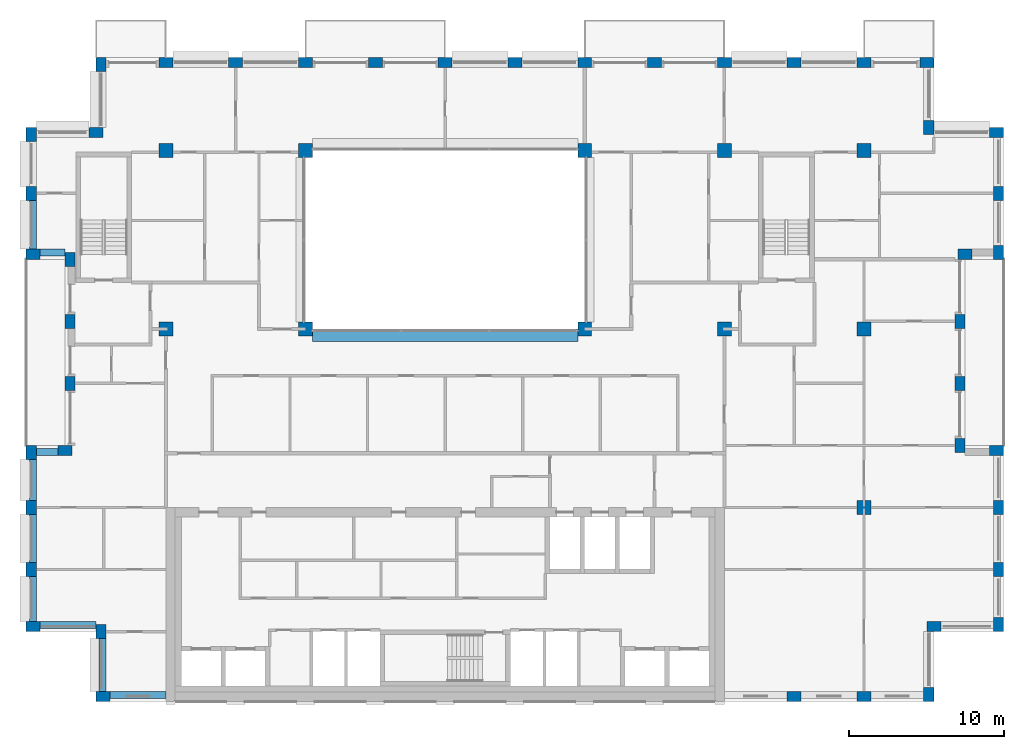
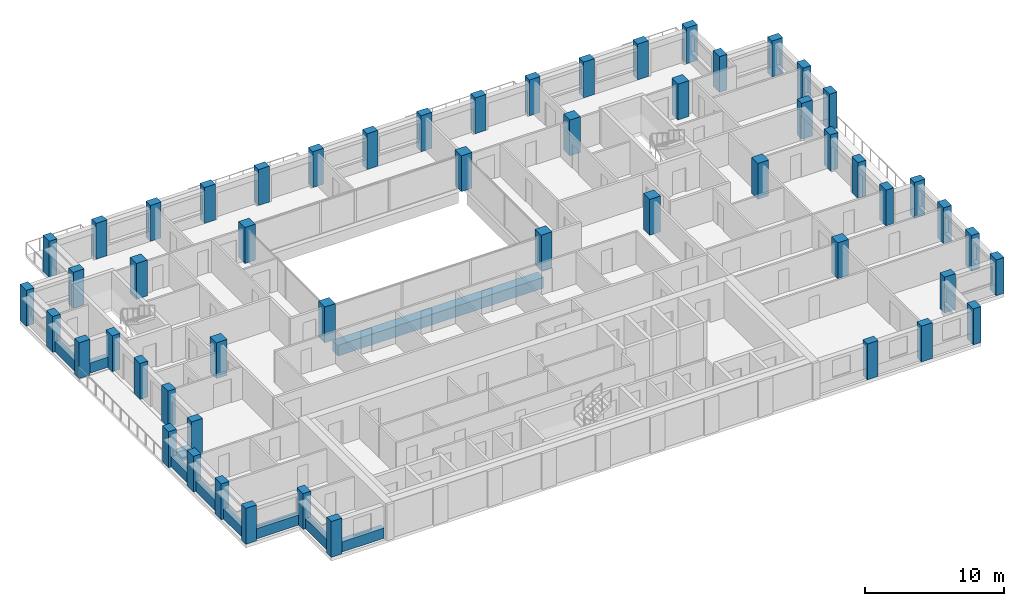
# One storey, part 1 of 15: 54 columns, 10 beams.
"""IFC4 building model written with IfcOpenShell, lengths in metres."""

from ifc_helpers import new_model, si_unit, direction, frame, origin, origin_2d, place, context, subcontext, project, spatial, rectangle, extrude, material, material_profile, profile_set, type_object, element, save


model = new_model("IFC4")

# Units and contexts
model_context = context("Model", 3, precision=1e-05, world=origin(), true_north=direction((0.0, 1.0)))
body_context = subcontext(model_context, "Body", "Model", "MODEL_VIEW")
ifc_project = project(units=[si_unit("LENGTHUNIT", "METRE"), si_unit("AREAUNIT", "SQUARE_METRE"), si_unit("VOLUMEUNIT", "CUBIC_METRE"), si_unit("PLANEANGLEUNIT", "RADIAN"), si_unit("MASSUNIT", "GRAM", prefix="KILO")], contexts=[model_context])

# Site, building, storey
site_placement = place(None, origin())
site = spatial("IfcSite", under=ifc_project, at=site_placement, CompositionType="ELEMENT")
building_placement = place(site_placement, origin())
building = spatial("IfcBuilding", under=site, at=building_placement, Name="Brigalow Station Residences", CompositionType="ELEMENT")
storey_placement = place(building_placement, frame((0.0, 0.0, 207.449951171875)))
storey = spatial("IfcBuildingStorey", under=building, at=storey_placement, Name="L59", CompositionType="ELEMENT", Elevation=207.449951171875)

# Columns
ifc_material_1 = material(Name="Concrete C50", Category="concrete")
ifc_material_profile_1 = material_profile(ifc_material_1, rectangle(XDim=0.89990234375, YDim=0.89990234375, at=origin_2d()), Name="RC900x900")
ifc_profile_set_1 = profile_set([ifc_material_profile_1], Name="Concrete C50")
column_type_1 = type_object("IfcColumnType", Name="COLUMN 900x900 C50", PredefinedType="COLUMN", material=ifc_profile_set_1)
for number, where, z_axis, x_axis, name in (
    (1, (18.0, 24.0, 0.0), (0.0, 0.0, 1.0), (1.0, 0.0, 0.0), "COLUMN C2 L59"),
    (2, (27.0, 24.0, 0.0), (0.0, 0.0, 1.0), (1.0, 0.0, 0.0), "COLUMN C3 L59"),
    (3, (45.0, 24.0, 0.0), (0.0, 0.0, 1.0), (1.0, 0.0, 0.0), "COLUMN C5 L59"),
    (4, (54.0, 24.0, 0.0), (0.0, 0.0, 1.0), (1.0, 0.0, 0.0), "COLUMN C6 L59"),
    (5, (63.0, 24.0, 0.0), (0.0, 0.0, 1.0), (1.0, 0.0, 0.0), "COLUMN C7 L59"),
    (6, (18.0, 35.5, 0.0), (0.0, 0.0, 1.0), (1.0, 0.0, 0.0), "COLUMN D2 L59"),
    (7, (27.0, 35.5, 0.0), (0.0, 0.0, 1.0), (1.0, 0.0, 0.0), "COLUMN D3 L59"),
    (8, (45.0, 35.5, 0.0), (0.0, 0.0, 1.0), (1.0, 0.0, 0.0), "COLUMN D5 L59"),
    (9, (54.0, 35.5, 0.0), (0.0, 0.0, 1.0), (1.0, 0.0, 0.0), "COLUMN D6 L59"),
    (10, (63.0, 35.5, 0.0), (0.0, 0.0, 1.0), (1.0, 0.0, 0.0), "COLUMN D7 L59"),
    (11, (63.0, 12.5, 0.0), (0.0, 0.0, 1.0), (1.0, 0.0, 0.0), "COLUMN B7 L59"),
):
    element("IfcColumn", number, at=place(storey_placement, frame(where, z_axis=z_axis, x_axis=x_axis)), inside=storey, type_object=column_type_1, Name=name, PredefinedType="COLUMN", context=body_context, shape_type="SweptSolid", body=[
        extrude(rectangle(XDim=0.89990234375, YDim=0.89990234375, at=origin_2d()), origin(), (0.0, 0.0, 1.0), 3.150146484375),
    ])
ifc_material_2 = material(Name="Concrete C50", Category="concrete")
ifc_material_profile_2 = material_profile(ifc_material_2, rectangle(XDim=0.89990234375, YDim=0.64990234375, at=origin_2d()), Name="RC900x650")
ifc_profile_set_2 = profile_set([ifc_material_profile_2], Name="Concrete C50")
column_type_2 = type_object("IfcColumnType", Name="PIER 900x650 C50", PredefinedType="USERDEFINED", material=ifc_profile_set_2)
for number, where, z_axis, x_axis, name in (
    (12, (13.949951171875, 0.324951171875, 0.0), (0.0, 0.0, 1.0), (1.0, 0.0, 0.0), "PIER S-1 L59"),
    (13, (58.5, 0.324951171875, 0.0), (0.0, 0.0, 1.0), (1.0, 0.0, 0.0), "PIER S-11 L59"),
    (14, (63.0, 0.324951171875, 0.0), (0.0, 0.0, 1.0), (1.0, 0.0, 0.0), "PIER S-12 L59"),
    (15, (67.175048828125, 0.449951171875, 0.0), (0.0, 0.0, 1.0), (0.0, 1.0, 0.0), "PIER SE1-1 L59"),
    (16, (67.5, 4.824951171875, 0.0), (0.0, 0.0, 1.0), (1.0, 0.0, 0.0), "PIER SE2-1 L59"),
    (17, (71.675048828125, 4.949951171875, 0.0), (0.0, 0.0, 1.0), (0.0, 1.0, 0.0), "PIER E1-1 L59"),
    (18, (71.675048828125, 8.5, 0.0), (0.0, 0.0, 1.0), (0.0, 1.0, 0.0), "PIER E1-2 L59"),
    (19, (71.675048828125, 12.5, 0.0), (0.0, 0.0, 1.0), (0.0, 1.0, 0.0), "PIER E1-3 L59"),
    (20, (71.550048828125, 16.175048828125, 0.0), (0.0, 0.0, 1.0), (-1.0, 0.0, 0.0), "PIER EL1-1 L59"),
    (21, (69.175048828125, 16.5, 0.0), (0.0, 0.0, 1.0), (0.0, 1.0, 0.0), "PIER EL2-1 L59"),
    (22, (69.175048828125, 20.5, 0.0), (0.0, 0.0, 1.0), (0.0, 1.0, 0.0), "PIER EL2-2 L59"),
    (23, (69.175048828125, 24.5, 0.0), (0.0, 0.0, 1.0), (0.0, 1.0, 0.0), "PIER EL2-3 L59"),
    (24, (69.5, 28.824951171875, 0.0), (0.0, 0.0, 1.0), (1.0, 0.0, 0.0), "PIER EL3-1 L59"),
    (25, (71.675048828125, 28.949951171875, 0.0), (0.0, 0.0, 1.0), (0.0, 1.0, 0.0), "PIER E2-1 L59"),
    (26, (71.675048828125, 32.75, 0.0), (0.0, 0.0, 1.0), (0.0, 1.0, 0.0), "PIER E2-2 L59"),
    (27, (71.550048828125, 36.675048828125, 0.0), (0.0, 0.0, 1.0), (-1.0, 0.0, 0.0), "PIER NE1-1 L59"),
    (28, (67.175048828125, 37.0, 0.0), (0.0, 0.0, 1.0), (0.0, 1.0, 0.0), "PIER NE2-1 L59"),
    (29, (67.050048828125, 41.175048828125, 0.0), (0.0, 0.0, 1.0), (-1.0, 0.0, 0.0), "PIER N-1 L59"),
    (30, (63.0, 41.175048828125, 0.0), (0.0, 0.0, 1.0), (-1.0, 0.0, 0.0), "PIER N-2 L59"),
    (31, (58.5, 41.175048828125, 0.0), (0.0, 0.0, 1.0), (-1.0, 0.0, 0.0), "PIER N-3 L59"),
    (32, (54.0, 41.175048828125, 0.0), (0.0, 0.0, 1.0), (-1.0, 0.0, 0.0), "PIER N-4 L59"),
    (33, (49.5, 41.175048828125, 0.0), (0.0, 0.0, 1.0), (-1.0, 0.0, 0.0), "PIER N-5 L59"),
    (34, (45.0, 41.175048828125, 0.0), (0.0, 0.0, 1.0), (-1.0, 0.0, 0.0), "PIER N-6 L59"),
    (35, (40.5, 41.175048828125, 0.0), (0.0, 0.0, 1.0), (-1.0, 0.0, 0.0), "PIER N-7 L59"),
    (36, (36.0, 41.175048828125, 0.0), (0.0, 0.0, 1.0), (-1.0, 0.0, 0.0), "PIER N-8 L59"),
    (37, (31.5, 41.175048828125, 0.0), (0.0, 0.0, 1.0), (-1.0, 0.0, 0.0), "PIER N-9 L59"),
    (38, (27.0, 41.175048828125, 0.0), (0.0, 0.0, 1.0), (-1.0, 0.0, 0.0), "PIER N-10 L59"),
    (39, (22.5, 41.175048828125, 0.0), (0.0, 0.0, 1.0), (-1.0, 0.0, 0.0), "PIER N-11 L59"),
    (40, (18.0, 41.175048828125, 0.0), (0.0, 0.0, 1.0), (-1.0, 0.0, 0.0), "PIER N-12 L59"),
    (41, (13.824951171875, 41.050048828125, 0.0), (0.0, 0.0, 1.0), (0.0, -1.0, 0.0), "PIER NW1-1 L59"),
    (42, (13.5, 36.675048828125, 0.0), (0.0, 0.0, 1.0), (-1.0, 0.0, 0.0), "PIER NW2-1 L59"),
    (43, (9.324951171875, 36.550048828125, 0.0), (0.0, 0.0, 1.0), (0.0, -1.0, 0.0), "PIER W2-1 L59"),
    (44, (9.324951171875, 32.75, 0.0), (0.0, 0.0, 1.0), (0.0, -1.0, 0.0), "PIER W2-2 L59"),
    (45, (9.449951171875, 28.824951171875, 0.0), (0.0, 0.0, 1.0), (1.0, 0.0, 0.0), "PIER WL1-1 L59"),
    (46, (11.824951171875, 28.5, 0.0), (0.0, 0.0, 1.0), (0.0, -1.0, 0.0), "PIER WL2-1 L59"),
    (47, (11.824951171875, 24.5, 0.0), (0.0, 0.0, 1.0), (0.0, -1.0, 0.0), "PIER WL2-2 L59"),
    (48, (11.824951171875, 20.5, 0.0), (0.0, 0.0, 1.0), (0.0, -1.0, 0.0), "PIER WL2-3 L59"),
    (49, (11.5, 16.175048828125, 0.0), (0.0, 0.0, 1.0), (-1.0, 0.0, 0.0), "PIER WL3-1 L59"),
    (50, (9.324951171875, 16.050048828125, 0.0), (0.0, 0.0, 1.0), (0.0, -1.0, 0.0), "PIER W1-1 L59"),
    (51, (9.324951171875, 12.5, 0.0), (0.0, 0.0, 1.0), (0.0, -1.0, 0.0), "PIER W1-2 L59"),
    (52, (9.324951171875, 8.5, 0.0), (0.0, 0.0, 1.0), (0.0, -1.0, 0.0), "PIER W1-3 L59"),
    (53, (9.449951171875, 4.824951171875, 0.0), (0.0, 0.0, 1.0), (1.0, 0.0, 0.0), "PIER SW1-1 L59"),
    (54, (13.824951171875, 4.5, 0.0), (0.0, 0.0, 1.0), (0.0, -1.0, 0.0), "PIER SW2-1 L59"),
):
    element("IfcColumn", number, at=place(storey_placement, frame(where, z_axis=z_axis, x_axis=x_axis)), inside=storey, type_object=column_type_2, Name=name, ObjectType="PIER", PredefinedType="USERDEFINED", context=body_context, shape_type="SweptSolid", body=[
        extrude(rectangle(XDim=0.89990234375, YDim=0.64990234375, at=origin_2d()), origin(), (0.0, 0.0, 1.0), 3.150146484375),
    ])

# Beams
ifc_material_3 = material(Name="Concrete C65", Category="concrete")
ifc_material_profile_3 = material_profile(ifc_material_3, rectangle(XDim=0.800048828125, YDim=0.949951171875, at=origin_2d()), Name="RC800x950")
ifc_profile_set_3 = profile_set([ifc_material_profile_3], Name="Concrete C65")
beam_type_1 = type_object("IfcBeamType", Name="ATRIUM EDGE GIRDER OVER 13.5 M SPAN 800x950 C65", PredefinedType="BEAM", material=ifc_profile_set_3)
beam_1_placement = place(storey_placement, frame((27.449951171875, 23.60009765625, -0.794921875), z_axis=(1.0, 0.0, 0.0), x_axis=(0.0, 1.0, 0.0)))
element("IfcBeam", 55, at=beam_1_placement, inside=storey, type_object=beam_type_1, Name="ATRIUM EDGE GIRDER C L59", PredefinedType="BEAM", context=body_context, shape_type="SweptSolid", body=[
    extrude(rectangle(XDim=0.800048828125, YDim=0.949951171875, at=origin_2d()), origin(), (0.0, 0.0, 1.0), 17.10009765625),
])
ifc_material_4 = material(Name="Concrete C50", Category="concrete")
ifc_material_profile_4 = material_profile(ifc_material_4, rectangle(XDim=0.449951171875, YDim=0.89990234375, at=origin_2d()), Name="RC450x900")
ifc_profile_set_4 = profile_set([ifc_material_profile_4], Name="Concrete C50")
beam_type_2 = type_object("IfcBeamType", Name="SPANDREL BEAM 450x900 C50", PredefinedType="SPANDREL", material=ifc_profile_set_4)
beam_2_placement = place(storey_placement, frame((14.39990234375, 0.425048828125, 0.449951171875), z_axis=(1.0, 0.0, 0.0), x_axis=(0.0, 1.0, 0.0)))
element("IfcBeam", 56, at=beam_2_placement, inside=storey, type_object=beam_type_2, Name="L59/spandrel/W-L59-1", PredefinedType="SPANDREL", context=body_context, shape_type="SweptSolid", body=[
    extrude(rectangle(XDim=0.449951171875, YDim=0.89990234375, at=origin_2d()), origin(), (0.0, 0.0, 1.0), 3.60009765625),
])
beam_3_placement = place(storey_placement, frame((9.425048828125, 32.300048828125, 0.449951171875), z_axis=(0.0, -1.0, 0.0), x_axis=(1.0, 0.0, 0.0)))
element("IfcBeam", 57, at=beam_3_placement, inside=storey, type_object=beam_type_2, Name="L59/spandrel/W-L59-35", PredefinedType="SPANDREL", context=body_context, shape_type="SweptSolid", body=[
    extrude(rectangle(XDim=0.449951171875, YDim=0.89990234375, at=origin_2d()), origin(), (0.0, 0.0, 1.0), 3.150146484375),
])
beam_4_placement = place(storey_placement, frame((9.89990234375, 28.925048828125, 0.449951171875), z_axis=(1.0, 0.0, 0.0), x_axis=(0.0, 1.0, 0.0)))
element("IfcBeam", 58, at=beam_4_placement, inside=storey, type_object=beam_type_2, Name="L59/spandrel/W-L59-36", PredefinedType="SPANDREL", context=body_context, shape_type="SweptSolid", body=[
    extrude(rectangle(XDim=0.449951171875, YDim=0.89990234375, at=origin_2d()), origin(), (0.0, 0.0, 1.0), 1.60009765625),
])
beam_5_placement = place(storey_placement, frame((11.050048828125, 16.074951171875, 0.449951171875), z_axis=(-1.0, 0.0, 0.0), x_axis=(0.0, -1.0, 0.0)))
element("IfcBeam", 59, at=beam_5_placement, inside=storey, type_object=beam_type_2, Name="L59/spandrel/W-L59-40", PredefinedType="SPANDREL", context=body_context, shape_type="SweptSolid", body=[
    extrude(rectangle(XDim=0.449951171875, YDim=0.89990234375, at=origin_2d()), origin(), (0.0, 0.0, 1.0), 1.400146484375),
])
beam_6_placement = place(storey_placement, frame((9.425048828125, 15.60009765625, 0.449951171875), z_axis=(0.0, -1.0, 0.0), x_axis=(1.0, 0.0, 0.0)))
element("IfcBeam", 60, at=beam_6_placement, inside=storey, type_object=beam_type_2, Name="L59/spandrel/W-L59-41", PredefinedType="SPANDREL", context=body_context, shape_type="SweptSolid", body=[
    extrude(rectangle(XDim=0.449951171875, YDim=0.89990234375, at=origin_2d()), origin(), (0.0, 0.0, 1.0), 2.650146484375),
])
beam_7_placement = place(storey_placement, frame((9.425048828125, 12.050048828125, 0.449951171875), z_axis=(0.0, -1.0, 0.0), x_axis=(1.0, 0.0, 0.0)))
element("IfcBeam", 61, at=beam_7_placement, inside=storey, type_object=beam_type_2, Name="L59/spandrel/W-L59-42", PredefinedType="SPANDREL", context=body_context, shape_type="SweptSolid", body=[
    extrude(rectangle(XDim=0.449951171875, YDim=0.89990234375, at=origin_2d()), origin(), (0.0, 0.0, 1.0), 3.10009765625),
])
beam_8_placement = place(storey_placement, frame((9.425048828125, 8.050048828125, 0.449951171875), z_axis=(0.0, -1.0, 0.0), x_axis=(1.0, 0.0, 0.0)))
element("IfcBeam", 62, at=beam_8_placement, inside=storey, type_object=beam_type_2, Name="L59/spandrel/W-L59-43", PredefinedType="SPANDREL", context=body_context, shape_type="SweptSolid", body=[
    extrude(rectangle(XDim=0.449951171875, YDim=0.89990234375, at=origin_2d()), origin(), (0.0, 0.0, 1.0), 2.900146484375),
])
beam_9_placement = place(storey_placement, frame((9.89990234375, 4.925048828125, 0.449951171875), z_axis=(1.0, 0.0, 0.0), x_axis=(0.0, 1.0, 0.0)))
element("IfcBeam", 63, at=beam_9_placement, inside=storey, type_object=beam_type_2, Name="L59/spandrel/W-L59-44", PredefinedType="SPANDREL", context=body_context, shape_type="SweptSolid", body=[
    extrude(rectangle(XDim=0.449951171875, YDim=0.89990234375, at=origin_2d()), origin(), (0.0, 0.0, 1.0), 3.60009765625),
])
beam_10_placement = place(storey_placement, frame((13.925048828125, 4.050048828125, 0.449951171875), z_axis=(0.0, -1.0, 0.0), x_axis=(1.0, 0.0, 0.0)))
element("IfcBeam", 64, at=beam_10_placement, inside=storey, type_object=beam_type_2, Name="L59/spandrel/W-L59-45", PredefinedType="SPANDREL", context=body_context, shape_type="SweptSolid", body=[
    extrude(rectangle(XDim=0.449951171875, YDim=0.89990234375, at=origin_2d()), origin(), (0.0, 0.0, 1.0), 3.400146484375),
])

save(model, "model.ifc")
